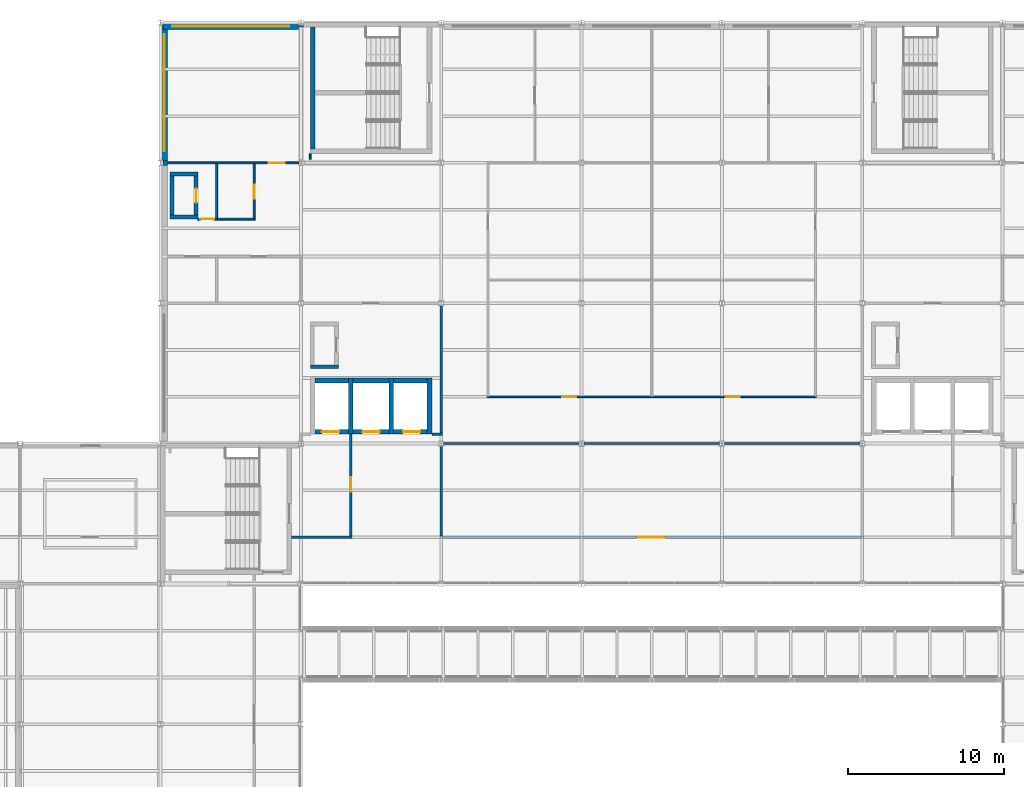
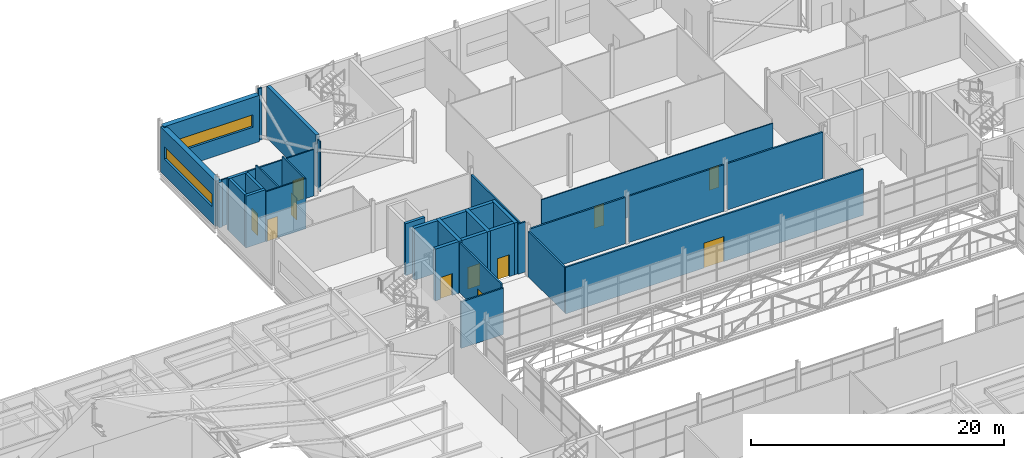
# One storey, part 85 of 115: 34 walls, 11 doors, 2 windows, 13 openings.
"""IFC4 building model written with IfcOpenShell, lengths in metres."""

from ifc_helpers import new_model, si_unit, direction, frame, frame_2d, origin, place, context, subcontext, project, spatial, rectangle, extrude, material, layer, layer_set, type_object, element, fill, save


model = new_model("IFC4")

# Units and contexts
model_context = context("Model", 3, precision=1e-05, world=origin(), true_north=direction((0.0, 1.0)))
body_context = subcontext(model_context, "Body", "Model", "MODEL_VIEW")
ifc_project = project(units=[si_unit("LENGTHUNIT", "METRE"), si_unit("AREAUNIT", "SQUARE_METRE"), si_unit("VOLUMEUNIT", "CUBIC_METRE"), si_unit("PLANEANGLEUNIT", "RADIAN"), si_unit("MASSUNIT", "GRAM", prefix="KILO")], contexts=[model_context])

# Site, building, storey
site_placement = place(None, origin())
site = spatial("IfcSite", under=ifc_project, at=site_placement, CompositionType="ELEMENT")
building_placement = place(site_placement, origin())
building = spatial("IfcBuilding", under=site, at=building_placement, Name="Shorebreak Coast Museum", CompositionType="ELEMENT")
storey_placement = place(building_placement, frame((0.0, 0.0, 11.0)))
storey = spatial("IfcBuildingStorey", under=building, at=storey_placement, Name="L02", CompositionType="ELEMENT", Elevation=11.0)

# Walls
ifc_material_1 = material(Name="Concrete N50 (50 MPa)", Category="concrete")
ifc_layer_1 = layer(ifc_material_1, 0.136474609375)
ifc_layer_set_1 = layer_set([ifc_layer_1], Name="Concrete N50 (50 MPa)")
wall_type_1 = type_object("IfcWallType", Name="Column closure panel 136", PredefinedType="SOLIDWALL", material=ifc_layer_set_1)
wall_1_placement = place(storey_placement, frame((62.83349609375, 116.768310546875, 0.0), z_axis=(0.0, 0.0, 1.0), x_axis=(1.0, 0.0, 0.0)))
element("IfcWall", 1, at=wall_1_placement, inside=storey, type_object=wall_type_1, Name="Column closure panel L02 N 8P", PredefinedType="SOLIDWALL", context=body_context, shape_type="SweptSolid", body=[
    extrude(rectangle(XDim=0.322021484375, YDim=0.136474609375, at=frame_2d((0.1611328125, 0.0))), origin(), (0.0, 0.0, 1.0), 5.0),
])
ifc_material_2 = material(Name="Concrete N50 (50 MPa)", Category="concrete")
ifc_layer_2 = layer(ifc_material_2, 0.29638671875)
ifc_layer_set_2 = layer_set([ifc_layer_2], Name="Concrete N50 (50 MPa)")
wall_type_2 = type_object("IfcWallType", Name="Column closure panel 297", PredefinedType="SOLIDWALL", material=ifc_layer_set_2)
wall_2_placement = place(storey_placement, frame((54.3017578125, 107.839111328125, 0.0), z_axis=(0.0, 0.0, 1.0), x_axis=(0.0, 1.0, 0.0)))
element("IfcWall", 2, at=wall_2_placement, inside=storey, type_object=wall_type_2, Name="Column closure panel L02 W 7N", PredefinedType="SOLIDWALL", context=body_context, shape_type="SweptSolid", body=[
    extrude(rectangle(XDim=0.32177734375, YDim=0.29638671875, at=frame_2d((0.160888671875, 0.0))), origin(), (0.0, 0.0, 1.0), 4.37109375),
])

# Wall, opening, window
ifc_material_3 = material(Name="Concrete N50 (50 MPa)", Category="concrete")
ifc_layer_3 = layer(ifc_material_3, 0.449951171875)
ifc_layer_set_3 = layer_set([ifc_layer_3], Name="Concrete N50 (50 MPa)")
wall_type_3 = type_object("IfcWallType", Name="Deep-set precast panel 450", PredefinedType="SOLIDWALL", material=ifc_layer_set_3)
wall_3_placement = place(storey_placement, frame((54.155517578125, 116.77490234375, 0.0), z_axis=(0.0, 0.0, 1.0), x_axis=(1.0, 0.0, 0.0)))
wall_3 = element("IfcWall", 3, at=wall_3_placement, inside=storey, type_object=wall_type_3, Name="External wall L02 N 7P", PredefinedType="SOLIDWALL", context=body_context, shape_type="SweptSolid", body=[
    extrude(rectangle(XDim=8.677978515625, YDim=0.449951171875, at=frame_2d((4.3388671875, 0.0))), origin(), (0.0, 0.0, 1.0), 4.469482421875),
])
opening_1_placement = place(wall_3_placement, frame((0.594482421875, 0.0, 1.60009765625)))
opening_1 = element("IfcOpeningElement", 4, at=opening_1_placement, cuts=wall_3, Name="Opening WN2033", PredefinedType="OPENING", context=body_context, shape_type="SweptSolid", body=[
    extrude(rectangle(XDim=7.5, YDim=1.199951171875, at=frame_2d((3.75, 0.60009765625))), frame((0.0, 0.23486328125, 0.0), z_axis=(0.0, -1.0, 0.0), x_axis=(1.0, 0.0, 0.0)), (0.0, 0.0, 1.0), 0.469970703125),
])
ifc_material_4 = material(Name="Aluminium", Category="aluminium")
window_type = type_object("IfcWindowType", Name="Ribbon window 7500 x 1200", PartitioningType="SINGLE_PANEL", PredefinedType="WINDOW", material=ifc_material_4)
window_1_placement = place(opening_1_placement, origin())
window_1 = element("IfcWindow", 5, at=window_1_placement, inside=storey, type_object=window_type, Name="Window WN2033", OverallHeight=1.199951171875, OverallWidth=7.5, PartitioningType="SINGLE_PANEL", PredefinedType="WINDOW", context=body_context, shape_type="SweptSolid", body=[
    extrude(rectangle(XDim=7.5, YDim=1.199951171875, at=frame_2d((3.75, 0.60009765625))), frame((0.0, 0.030029296875, 0.0), z_axis=(0.0, -1.0, 0.0), x_axis=(1.0, 0.0, 0.0)), (0.0, 0.0, 1.0), 0.06005859375),
])
fill(opening_1, window_1)

wall_4_placement = place(storey_placement, frame((54.22509765625, 108.160888671875, 0.0), z_axis=(0.0, 0.0, 1.0), x_axis=(0.0, 1.0, 0.0)))
wall_4 = element("IfcWall", 6, at=wall_4_placement, inside=storey, type_object=wall_type_3, Name="External wall L02 W 7N", PredefinedType="SOLIDWALL", context=body_context, shape_type="SweptSolid", body=[
    extrude(rectangle(XDim=8.675537109375, YDim=0.449951171875, at=frame_2d((4.337890625, 0.0))), origin(), (0.0, 0.0, 1.0), 4.37109375),
])
opening_2_placement = place(wall_4_placement, frame((0.5927734375, 0.0, 1.60009765625)))
opening_2 = element("IfcOpeningElement", 7, at=opening_2_placement, cuts=wall_4, Name="Opening WN2071", PredefinedType="OPENING", context=body_context, shape_type="SweptSolid", body=[
    extrude(rectangle(XDim=7.5, YDim=1.199951171875, at=frame_2d((3.75, 0.60009765625))), frame((0.0, 0.23486328125, 0.0), z_axis=(0.0, -1.0, 0.0), x_axis=(1.0, 0.0, 0.0)), (0.0, 0.0, 1.0), 0.469970703125),
])
window_2_placement = place(opening_2_placement, origin())
window_2 = element("IfcWindow", 8, at=window_2_placement, inside=storey, type_object=window_type, Name="Window WN2071", OverallHeight=1.199951171875, OverallWidth=7.5, PartitioningType="SINGLE_PANEL", PredefinedType="WINDOW", context=body_context, shape_type="SweptSolid", body=[
    extrude(rectangle(XDim=7.5, YDim=1.199951171875, at=frame_2d((3.75, 0.60009765625))), frame((0.0, 0.030029296875, 0.0), z_axis=(0.0, -1.0, 0.0), x_axis=(1.0, 0.0, 0.0)), (0.0, 0.0, 1.0), 0.06005859375),
])
fill(opening_2, window_2)

# Wall
ifc_material_5 = material(Name="Plasterboard on steel stud", Category="steel")
ifc_layer_4 = layer(ifc_material_5, 0.14990234375)
ifc_layer_set_4 = layer_set([ifc_layer_4], Name="Plasterboard on steel stud")
wall_type_4 = type_object("IfcWallType", Name="Fire partition 150", PredefinedType="PARTITIONING", material=ifc_layer_set_4)
wall_5_placement = place(storey_placement, frame((62.39990234375, 84.0, 0.0), z_axis=(0.0, 0.0, 1.0), x_axis=(1.0, 0.0, 0.0)))
element("IfcWall", 9, at=wall_5_placement, inside=storey, type_object=wall_type_4, Name="Partition L02-060", PredefinedType="PARTITIONING", context=body_context, shape_type="SweptSolid", body=[
    extrude(rectangle(XDim=3.875, YDim=0.14990234375, at=frame_2d((1.9375, 0.0))), origin(), (0.0, 0.0, 1.0), 4.469482421875),
])

# Wall, opening, door
wall_6_placement = place(storey_placement, frame((71.925048828125, 84.0, 0.0), z_axis=(0.0, 0.0, 1.0), x_axis=(1.0, 0.0, 0.0)))
wall_6 = element("IfcWall", 10, at=wall_6_placement, inside=storey, type_object=wall_type_4, Name="Partition L02-061", PredefinedType="PARTITIONING", context=body_context, shape_type="SweptSolid", body=[
    extrude(rectangle(XDim=27.14990234375, YDim=0.14990234375, at=frame_2d((13.574951171875, 0.0))), origin(), (0.0, 0.0, 1.0), 4.469482421875),
])
opening_3_placement = place(wall_6_placement, frame((12.625, 0.0, 0.0)))
opening_3 = element("IfcOpeningElement", 11, at=opening_3_placement, cuts=wall_6, Name="Opening D2005", PredefinedType="OPENING", context=body_context, shape_type="SweptSolid", body=[
    extrude(rectangle(XDim=1.800048828125, YDim=2.39990234375, at=frame_2d((0.89990234375, 1.199951171875))), frame((0.0, 0.0849609375, 0.0), z_axis=(0.0, -1.0, 0.0), x_axis=(1.0, 0.0, 0.0)), (0.0, 0.0, 1.0), 0.169921875),
])
ifc_material_6 = material(Name="Steel", Category="steel")
door_type_1 = type_object("IfcDoorType", Name="Fire door 1800x2400 60", OperationType="DOUBLE_DOOR_SINGLE_SWING", PredefinedType="DOOR", material=ifc_material_6)
door_1_placement = place(opening_3_placement, origin())
door_1 = element("IfcDoor", 12, at=door_1_placement, inside=storey, type_object=door_type_1, Name="Door D2005 Permanent Gallery 2.01", OperationType="DOUBLE_DOOR_SINGLE_SWING", OverallHeight=2.39990234375, OverallWidth=1.800048828125, PredefinedType="DOOR", context=body_context, shape_type="SweptSolid", body=[
    extrude(rectangle(XDim=1.800048828125, YDim=2.39990234375, at=frame_2d((0.89990234375, 1.199951171875))), frame((0.0, 0.02490234375, 0.0), z_axis=(0.0, -1.0, 0.0), x_axis=(1.0, 0.0, 0.0)), (0.0, 0.0, 1.0), 0.050048828125),
])
fill(opening_3, door_1)

# Walls
for number, where, z_axis, x_axis, name in (
    (13, (72.155517578125, 90.0, 0.0), (0.0, 0.0, 1.0), (1.0, 0.0, 0.0), "Partition L02-063"),
    (14, (81.155517578125, 90.0, 0.0), (0.0, 0.0, 1.0), (1.0, 0.0, 0.0), "Partition L02-064"),
    (15, (90.155517578125, 90.0, 0.0), (0.0, 0.0, 1.0), (1.0, 0.0, 0.0), "Partition L02-065"),
):
    element("IfcWall", number, at=place(storey_placement, frame(where, z_axis=z_axis, x_axis=x_axis)), inside=storey, type_object=wall_type_4, Name=name, PredefinedType="PARTITIONING", context=body_context, shape_type="SweptSolid", body=[
        extrude(rectangle(XDim=8.68896484375, YDim=0.14990234375, at=frame_2d((4.344482421875, 0.0))), origin(), (0.0, 0.0, 1.0), 4.469482421875),
    ])
wall_7_placement = place(storey_placement, frame((71.39990234375, 90.60009765625, 0.0), z_axis=(0.0, 0.0, 1.0), x_axis=(1.0, 0.0, 0.0)))
element("IfcWall", 16, at=wall_7_placement, inside=storey, type_object=wall_type_4, Name="Partition L02-067", PredefinedType="PARTITIONING", context=body_context, shape_type="SweptSolid", body=[
    extrude(rectangle(XDim=0.675048828125, YDim=0.14990234375, at=frame_2d((0.33740234375, 0.0))), origin(), (0.0, 0.0, 1.0), 4.824951171875),
])

# Wall, opening, door
wall_8_placement = place(storey_placement, frame((66.199951171875, 84.074951171875, 0.0), z_axis=(0.0, 0.0, 1.0), x_axis=(0.0, 1.0, 0.0)))
wall_8 = element("IfcWall", 17, at=wall_8_placement, inside=storey, type_object=wall_type_4, Name="Partition L02-121", PredefinedType="PARTITIONING", context=body_context, shape_type="SweptSolid", body=[
    extrude(rectangle(XDim=6.525146484375, YDim=0.14990234375, at=frame_2d((3.2626953125, 0.0))), origin(), (0.0, 0.0, 1.0), 4.824951171875),
])
opening_4_placement = place(wall_8_placement, frame((2.85009765625, 0.0, 0.0)))
opening_4 = element("IfcOpeningElement", 18, at=opening_4_placement, cuts=wall_8, Name="Opening D2001", PredefinedType="OPENING", context=body_context, shape_type="SweptSolid", body=[
    extrude(rectangle(XDim=0.89990234375, YDim=2.10009765625, at=frame_2d((0.449951171875, 1.050048828125))), frame((0.0, 0.0849609375, 0.0), z_axis=(0.0, -1.0, 0.0), x_axis=(1.0, 0.0, 0.0)), (0.0, 0.0, 1.0), 0.169921875),
])
ifc_material_7 = material(Name="Steel", Category="steel")
door_type_2 = type_object("IfcDoorType", Name="Fire door 900x2100 60", OperationType="SINGLE_SWING_LEFT", PredefinedType="DOOR", material=ifc_material_7)
door_2_placement = place(opening_4_placement, origin())
door_2 = element("IfcDoor", 19, at=door_2_placement, inside=storey, type_object=door_type_2, Name="Door D2001 Firefighting Lift Lobby W", OperationType="SINGLE_SWING_LEFT", OverallHeight=2.10009765625, OverallWidth=0.89990234375, PredefinedType="DOOR", context=body_context, shape_type="SweptSolid", body=[
    extrude(rectangle(XDim=0.89990234375, YDim=2.10009765625, at=frame_2d((0.449951171875, 1.050048828125))), frame((0.0, 0.02490234375, 0.0), z_axis=(0.0, -1.0, 0.0), x_axis=(1.0, 0.0, 0.0)), (0.0, 0.0, 1.0), 0.050048828125),
])
fill(opening_4, door_2)

# Walls
wall_9_placement = place(storey_placement, frame((72.0, 84.074951171875, 0.0), z_axis=(0.0, 0.0, 1.0), x_axis=(0.0, 1.0, 0.0)))
element("IfcWall", 20, at=wall_9_placement, inside=storey, type_object=wall_type_4, Name="Partition L02-128", PredefinedType="PARTITIONING", context=body_context, shape_type="SweptSolid", body=[
    extrude(rectangle(XDim=5.761474609375, YDim=0.14990234375, at=frame_2d((2.880859375, 0.0))), origin(), (0.0, 0.0, 1.0), 4.37109375),
])
wall_10_placement = place(storey_placement, frame((72.0, 90.675048828125, 0.0), z_axis=(0.0, 0.0, 1.0), x_axis=(0.0, 1.0, 0.0)))
element("IfcWall", 21, at=wall_10_placement, inside=storey, type_object=wall_type_4, Name="Partition L02-129", PredefinedType="PARTITIONING", context=body_context, shape_type="SweptSolid", body=[
    extrude(rectangle(XDim=8.167724609375, YDim=0.14990234375, at=frame_2d((4.083984375, 0.0))), origin(), (0.0, 0.0, 1.0), 4.37109375),
])

# Wall, openings, doors
ifc_material_8 = material(Name="Plasterboard on steel stud", Category="steel")
ifc_layer_5 = layer(ifc_material_8, 0.10009765625)
ifc_layer_set_5 = layer_set([ifc_layer_5], Name="Plasterboard on steel stud")
wall_type_5 = type_object("IfcWallType", Name="Partition 100", PredefinedType="PARTITIONING", material=ifc_layer_set_5)
wall_11_placement = place(storey_placement, frame((74.949951171875, 93.0, 0.0), z_axis=(0.0, 0.0, 1.0), x_axis=(1.0, 0.0, 0.0)))
wall_11 = element("IfcWall", 22, at=wall_11_placement, inside=storey, type_object=wall_type_5, Name="Partition L02-070", PredefinedType="PARTITIONING", context=body_context, shape_type="SweptSolid", body=[
    extrude(rectangle(XDim=21.10009765625, YDim=0.10009765625, at=frame_2d((10.550048828125, 0.0))), origin(), (0.0, 0.0, 1.0), 4.469482421875),
])
opening_5_placement = place(wall_11_placement, frame((4.800048828125, 0.0, 0.0)))
opening_5 = element("IfcOpeningElement", 23, at=opening_5_placement, cuts=wall_11, Name="Opening D2018", PredefinedType="OPENING", context=body_context, shape_type="SweptSolid", body=[
    extrude(rectangle(XDim=0.89990234375, YDim=2.10009765625, at=frame_2d((0.449951171875, 1.050048828125))), frame((0.0, 0.06005859375, 0.0), z_axis=(0.0, -1.0, 0.0), x_axis=(1.0, 0.0, 0.0)), (0.0, 0.0, 1.0), 0.1201171875),
])
opening_6_placement = place(wall_11_placement, frame((15.300048828125, 0.0, 0.0)))
opening_6 = element("IfcOpeningElement", 24, at=opening_6_placement, cuts=wall_11, Name="Opening D2019", PredefinedType="OPENING", context=body_context, shape_type="SweptSolid", body=[
    extrude(rectangle(XDim=0.89990234375, YDim=2.10009765625, at=frame_2d((0.449951171875, 1.050048828125))), frame((0.0, 0.06005859375, 0.0), z_axis=(0.0, -1.0, 0.0), x_axis=(1.0, 0.0, 0.0)), (0.0, 0.0, 1.0), 0.1201171875),
])
ifc_material_9 = material(Name="Timber", Category="wood")
door_type_3 = type_object("IfcDoorType", Name="Interior door 900x2100", OperationType="SINGLE_SWING_LEFT", PredefinedType="DOOR", material=ifc_material_9)
door_3_placement = place(opening_5_placement, origin())
door_3 = element("IfcDoor", 25, at=door_3_placement, inside=storey, type_object=door_type_3, Name="Door D2018 Curatorial Office 2.01", OperationType="SINGLE_SWING_RIGHT", OverallHeight=2.10009765625, OverallWidth=0.89990234375, PredefinedType="DOOR", context=body_context, shape_type="SweptSolid", body=[
    extrude(rectangle(XDim=0.89990234375, YDim=2.10009765625, at=frame_2d((0.449951171875, 1.050048828125))), frame((0.0, 0.02490234375, 0.0), z_axis=(0.0, -1.0, 0.0), x_axis=(1.0, 0.0, 0.0)), (0.0, 0.0, 1.0), 0.050048828125),
])
fill(opening_5, door_3)
door_4_placement = place(opening_6_placement, origin())
door_4 = element("IfcDoor", 26, at=door_4_placement, inside=storey, type_object=door_type_3, Name="Door D2019 Curatorial Office 2.02", OperationType="SINGLE_SWING_RIGHT", OverallHeight=2.10009765625, OverallWidth=0.89990234375, PredefinedType="DOOR", context=body_context, shape_type="SweptSolid", body=[
    extrude(rectangle(XDim=0.89990234375, YDim=2.10009765625, at=frame_2d((0.449951171875, 1.050048828125))), frame((0.0, 0.02490234375, 0.0), z_axis=(0.0, -1.0, 0.0), x_axis=(1.0, 0.0, 0.0)), (0.0, 0.0, 1.0), 0.050048828125),
])
fill(opening_6, door_4)

# Wall
wall_12_placement = place(storey_placement, frame((63.60009765625, 108.219970703125, 0.0), z_axis=(0.0, 0.0, 1.0), x_axis=(0.0, 1.0, 0.0)))
element("IfcWall", 27, at=wall_12_placement, inside=storey, type_object=wall_type_5, Name="Partition L02-119", PredefinedType="PARTITIONING", context=body_context, shape_type="SweptSolid", body=[
    extrude(rectangle(XDim=0.380126953125, YDim=0.10009765625, at=frame_2d((0.18994140625, 0.0))), origin(), (0.0, 0.0, 1.0), 4.824951171875),
])

# Wall, opening, door
ifc_material_10 = material(Name="Plasterboard on steel stud", Category="steel")
ifc_layer_6 = layer(ifc_material_10, 0.125)
ifc_layer_set_6 = layer_set([ifc_layer_6], Name="Plasterboard on steel stud")
wall_type_6 = type_object("IfcWallType", Name="Partition 125", PredefinedType="PARTITIONING", material=ifc_layer_set_6)
wall_13_placement = place(storey_placement, frame((56.39990234375, 104.39990234375, 0.0), z_axis=(0.0, 0.0, 1.0), x_axis=(1.0, 0.0, 0.0)))
wall_13 = element("IfcWall", 28, at=wall_13_placement, inside=storey, type_object=wall_type_6, Name="Partition L02-078", PredefinedType="PARTITIONING", context=body_context, shape_type="SweptSolid", body=[
    extrude(rectangle(XDim=3.66259765625, YDim=0.125, at=frame_2d((1.831298828125, 0.0))), origin(), (0.0, 0.0, 1.0), 4.824951171875),
])
opening_7_placement = place(wall_13_placement, frame((0.14990234375, 0.0, 0.0)))
opening_7 = element("IfcOpeningElement", 29, at=opening_7_placement, cuts=wall_13, Name="Opening D2008", PredefinedType="OPENING", context=body_context, shape_type="SweptSolid", body=[
    extrude(rectangle(XDim=0.89990234375, YDim=2.10009765625, at=frame_2d((0.449951171875, 1.050048828125))), frame((0.0, 0.072509765625, 0.0), z_axis=(0.0, -1.0, 0.0), x_axis=(1.0, 0.0, 0.0)), (0.0, 0.0, 1.0), 0.14501953125),
])
door_5_placement = place(opening_7_placement, origin())
door_5 = element("IfcDoor", 30, at=door_5_placement, inside=storey, type_object=door_type_3, Name="Door D2008 Cleaner Store N1", OperationType="SINGLE_SWING_LEFT", OverallHeight=2.10009765625, OverallWidth=0.89990234375, PredefinedType="DOOR", context=body_context, shape_type="SweptSolid", body=[
    extrude(rectangle(XDim=0.89990234375, YDim=2.10009765625, at=frame_2d((0.449951171875, 1.050048828125))), frame((0.0, 0.02490234375, 0.0), z_axis=(0.0, -1.0, 0.0), x_axis=(1.0, 0.0, 0.0)), (0.0, 0.0, 1.0), 0.050048828125),
])
fill(opening_7, door_5)

wall_14_placement = place(storey_placement, frame((54.449951171875, 108.0, 0.0), z_axis=(0.0, 0.0, 1.0), x_axis=(1.0, 0.0, 0.0)))
wall_14 = element("IfcWall", 31, at=wall_14_placement, inside=storey, type_object=wall_type_6, Name="Partition L02-080", PredefinedType="PARTITIONING", context=body_context, shape_type="SweptSolid", body=[
    extrude(rectangle(XDim=8.396484375, YDim=0.125, at=frame_2d((4.1982421875, 0.0))), origin(), (0.0, 0.0, 1.0), 4.469482421875),
])
opening_8_placement = place(wall_14_placement, frame((6.5, 0.0, 0.0)))
opening_8 = element("IfcOpeningElement", 32, at=opening_8_placement, cuts=wall_14, Name="Opening D2016", PredefinedType="OPENING", context=body_context, shape_type="SweptSolid", body=[
    extrude(rectangle(XDim=1.0, YDim=2.10009765625, at=frame_2d((0.5, 1.050048828125))), frame((0.0, 0.072509765625, 0.0), z_axis=(0.0, -1.0, 0.0), x_axis=(1.0, 0.0, 0.0)), (0.0, 0.0, 1.0), 0.14501953125),
])
ifc_material_11 = material(Name="Timber", Category="wood")
door_type_4 = type_object("IfcDoorType", Name="Interior door 1000x2100", OperationType="SINGLE_SWING_LEFT", PredefinedType="DOOR", material=ifc_material_11)
door_6_placement = place(opening_8_placement, origin())
door_6 = element("IfcDoor", 33, at=door_6_placement, inside=storey, type_object=door_type_4, Name="Door D2016 Services Store 2.01", OperationType="SINGLE_SWING_LEFT", OverallHeight=2.10009765625, OverallWidth=1.0, PredefinedType="DOOR", context=body_context, shape_type="SweptSolid", body=[
    extrude(rectangle(XDim=1.0, YDim=2.10009765625, at=frame_2d((0.5, 1.050048828125))), frame((0.0, 0.02490234375, 0.0), z_axis=(0.0, -1.0, 0.0), x_axis=(1.0, 0.0, 0.0)), (0.0, 0.0, 1.0), 0.050048828125),
])
fill(opening_8, door_6)

# Wall
wall_15_placement = place(storey_placement, frame((57.60009765625, 104.46240234375, 0.0), z_axis=(0.0, 0.0, 1.0), x_axis=(0.0, 1.0, 0.0)))
element("IfcWall", 34, at=wall_15_placement, inside=storey, type_object=wall_type_6, Name="Partition L02-107", PredefinedType="PARTITIONING", context=body_context, shape_type="SweptSolid", body=[
    extrude(rectangle(XDim=3.47509765625, YDim=0.125, at=frame_2d((1.737548828125, 0.0))), origin(), (0.0, 0.0, 1.0), 4.824951171875),
])

# Wall, opening, door
wall_16_placement = place(storey_placement, frame((60.0, 104.46240234375, 0.0), z_axis=(0.0, 0.0, 1.0), x_axis=(0.0, 1.0, 0.0)))
wall_16 = element("IfcWall", 35, at=wall_16_placement, inside=storey, type_object=wall_type_6, Name="Partition L02-111", PredefinedType="PARTITIONING", context=body_context, shape_type="SweptSolid", body=[
    extrude(rectangle(XDim=3.47509765625, YDim=0.125, at=frame_2d((1.737548828125, 0.0))), origin(), (0.0, 0.0, 1.0), 4.824951171875),
])
opening_9_placement = place(wall_16_placement, frame((1.25, 0.0, 0.0)))
opening_9 = element("IfcOpeningElement", 36, at=opening_9_placement, cuts=wall_16, Name="Opening D2009", PredefinedType="OPENING", context=body_context, shape_type="SweptSolid", body=[
    extrude(rectangle(XDim=0.89990234375, YDim=2.10009765625, at=frame_2d((0.449951171875, 1.050048828125))), frame((0.0, 0.072509765625, 0.0), z_axis=(0.0, -1.0, 0.0), x_axis=(1.0, 0.0, 0.0)), (0.0, 0.0, 1.0), 0.14501953125),
])
door_7_placement = place(opening_9_placement, origin())
door_7 = element("IfcDoor", 37, at=door_7_placement, inside=storey, type_object=door_type_3, Name="Door D2009 Female WC N1", OperationType="SINGLE_SWING_RIGHT", OverallHeight=2.10009765625, OverallWidth=0.89990234375, PredefinedType="DOOR", context=body_context, shape_type="SweptSolid", body=[
    extrude(rectangle(XDim=0.89990234375, YDim=2.10009765625, at=frame_2d((0.449951171875, 1.050048828125))), frame((0.0, 0.02490234375, 0.0), z_axis=(0.0, -1.0, 0.0), x_axis=(1.0, 0.0, 0.0)), (0.0, 0.0, 1.0), 0.050048828125),
])
fill(opening_9, door_7)

# Walls
ifc_material_12 = material(Name="Concrete N50 (50 MPa)", Category="concrete")
ifc_layer_7 = layer(ifc_material_12, 0.25)
ifc_layer_set_7 = layer_set([ifc_layer_7], Name="Concrete N50 (50 MPa)")
wall_type_7 = type_object("IfcWallType", Name="RC riser wall 250", PredefinedType="STANDARD", material=ifc_layer_set_7)
for number, where, z_axis, x_axis, name in (
    (38, (54.60009765625, 104.52490234375, 0.0), (0.0, 0.0, 1.0), (1.0, 0.0, 0.0), "Riser wall R-WC-N1 L02 S"),
    (39, (54.60009765625, 107.27490234375, 0.0), (0.0, 0.0, 1.0), (1.0, 0.0, 0.0), "Riser wall R-WC-N1 L02 N"),
):
    element("IfcWall", number, at=place(storey_placement, frame(where, z_axis=z_axis, x_axis=x_axis)), inside=storey, type_object=wall_type_7, Name=name, PredefinedType="STANDARD", context=body_context, shape_type="SweptSolid", body=[
        extrude(rectangle(XDim=1.7998046875, YDim=0.25, at=frame_2d((0.89990234375, 0.0))), origin(), (0.0, 0.0, 1.0), 5.0),
    ])
wall_17_placement = place(storey_placement, frame((54.72509765625, 104.64990234375, 0.0), z_axis=(0.0, 0.0, 1.0), x_axis=(0.0, 1.0, 0.0)))
element("IfcWall", 40, at=wall_17_placement, inside=storey, type_object=wall_type_7, Name="Riser wall R-WC-N1 L02 W", PredefinedType="STANDARD", context=body_context, shape_type="SweptSolid", body=[
    extrude(rectangle(XDim=2.5, YDim=0.25, at=frame_2d((1.25, 0.0))), origin(), (0.0, 0.0, 1.0), 5.0),
])

# Wall, opening, door
wall_18_placement = place(storey_placement, frame((56.27490234375, 104.64990234375, 0.0), z_axis=(0.0, 0.0, 1.0), x_axis=(0.0, 1.0, 0.0)))
wall_18 = element("IfcWall", 41, at=wall_18_placement, inside=storey, type_object=wall_type_7, Name="Riser wall R-WC-N1 L02 E", PredefinedType="STANDARD", context=body_context, shape_type="SweptSolid", body=[
    extrude(rectangle(XDim=2.5, YDim=0.25, at=frame_2d((1.25, 0.0))), origin(), (0.0, 0.0, 1.0), 5.0),
])
opening_10_placement = place(wall_18_placement, frame((0.800048828125, 0.0, 0.0)))
opening_10 = element("IfcOpeningElement", 42, at=opening_10_placement, cuts=wall_18, Name="Opening D2601", PredefinedType="OPENING", context=body_context, shape_type="SweptSolid", body=[
    extrude(rectangle(XDim=0.89990234375, YDim=2.10009765625, at=frame_2d((0.449951171875, 1.050048828125))), frame((0.0, 0.135009765625, 0.0), z_axis=(0.0, -1.0, 0.0), x_axis=(1.0, 0.0, 0.0)), (0.0, 0.0, 1.0), 0.27001953125),
])
ifc_material_13 = material(Name="Steel Grade 300", Category="steel")
door_type_5 = type_object("IfcDoorType", Name="Riser door 900x2100", OperationType="SINGLE_SWING_LEFT", PredefinedType="DOOR", material=ifc_material_13)
door_8_placement = place(opening_10_placement, origin())
door_8 = element("IfcDoor", 43, at=door_8_placement, inside=storey, type_object=door_type_5, Name="Riser door R-WC-N1 L02", OperationType="SINGLE_SWING_RIGHT", OverallHeight=2.10009765625, OverallWidth=0.89990234375, PredefinedType="DOOR", context=body_context, shape_type="SweptSolid", body=[
    extrude(rectangle(XDim=0.89990234375, YDim=2.10009765625, at=frame_2d((0.449951171875, 1.050048828125))), frame((0.0, 0.02490234375, 0.0), z_axis=(0.0, -1.0, 0.0), x_axis=(1.0, 0.0, 0.0)), (0.0, 0.0, 1.0), 0.050048828125),
])
fill(opening_10, door_8)

# Walls
wall_19_placement = place(storey_placement, frame((63.60009765625, 94.925048828125, 0.0), z_axis=(0.0, 0.0, 1.0), x_axis=(1.0, 0.0, 0.0)))
element("IfcWall", 44, at=wall_19_placement, inside=storey, type_object=wall_type_7, Name="Riser wall R-LBW L02 S", PredefinedType="STANDARD", context=body_context, shape_type="SweptSolid", body=[
    extrude(rectangle(XDim=1.7998046875, YDim=0.25, at=frame_2d((0.89990234375, 0.0))), origin(), (0.0, 0.0, 1.0), 5.0),
])
ifc_material_14 = material(Name="Concrete N50 (50 MPa)", Category="concrete")
ifc_layer_8 = layer(ifc_material_14, 0.300048828125)
ifc_layer_set_8 = layer_set([ifc_layer_8], Name="Concrete N50 (50 MPa)")
wall_type_8 = type_object("IfcWallType", Name="RC wall 300", PredefinedType="SHEAR", material=ifc_layer_set_8)
wall_20_placement = place(storey_placement, frame((63.75, 108.89990234375, 0.0), z_axis=(0.0, 0.0, 1.0), x_axis=(0.0, 1.0, 0.0)))
element("IfcWall", 45, at=wall_20_placement, inside=storey, type_object=wall_type_8, Name="Stair core wall ST09 L02 W", PredefinedType="SHEAR", context=body_context, shape_type="SweptSolid", body=[
    extrude(rectangle(XDim=7.800048828125, YDim=0.300048828125, at=frame_2d((3.89990234375, 0.0))), origin(), (0.0, 0.0, 1.0), 5.0),
])
for number, where, z_axis, x_axis, name in (
    (46, (66.199951171875, 90.60009765625, 0.0), (0.0, 0.0, 1.0), (0.0, 1.0, 0.0), "Lift shaft wall LBW L02 2"),
    (47, (68.800048828125, 90.60009765625, 0.0), (0.0, 0.0, 1.0), (0.0, 1.0, 0.0), "Lift shaft wall LBW L02 3"),
    (48, (71.25, 90.60009765625, 0.0), (0.0, 0.0, 1.0), (0.0, 1.0, 0.0), "Lift shaft wall LBW L02 4"),
):
    element("IfcWall", number, at=place(storey_placement, frame(where, z_axis=z_axis, x_axis=x_axis)), inside=storey, type_object=wall_type_8, Name=name, PredefinedType="SHEAR", context=body_context, shape_type="SweptSolid", body=[
        extrude(rectangle(XDim=3.599853515625, YDim=0.300048828125, at=frame_2d((1.7998046875, 0.0))), origin(), (0.0, 0.0, 1.0), 5.0),
    ])

# Wall, opening, door
wall_21_placement = place(storey_placement, frame((63.89990234375, 90.75, 0.0), z_axis=(0.0, 0.0, 1.0), x_axis=(1.0, 0.0, 0.0)))
wall_21 = element("IfcWall", 49, at=wall_21_placement, inside=storey, type_object=wall_type_8, Name="Lift shaft wall FL1 L02 F", PredefinedType="SHEAR", context=body_context, shape_type="SweptSolid", body=[
    extrude(rectangle(XDim=2.150146484375, YDim=0.300048828125, at=frame_2d((1.0751953125, 0.0))), origin(), (0.0, 0.0, 1.0), 5.0),
])
opening_11_placement = place(wall_21_placement, frame((0.449951171875, 0.0, 0.0)))
opening_11 = element("IfcOpeningElement", 50, at=opening_11_placement, cuts=wall_21, Name="Opening LD2-FL1", PredefinedType="OPENING", context=body_context, shape_type="SweptSolid", body=[
    extrude(rectangle(XDim=1.10009765625, YDim=2.10009765625, at=frame_2d((0.550048828125, 1.050048828125))), frame((0.0, 0.159912109375, 0.0), z_axis=(0.0, -1.0, 0.0), x_axis=(1.0, 0.0, 0.0)), (0.0, 0.0, 1.0), 0.320068359375),
])
ifc_material_15 = material(Name="Steel Grade 300", Category="steel")
door_type_6 = type_object("IfcDoorType", Name="Landing door 1100x2100", OperationType="DOUBLE_DOOR_SLIDING", PredefinedType="DOOR", material=ifc_material_15)
door_9_placement = place(opening_11_placement, origin())
door_9 = element("IfcDoor", 51, at=door_9_placement, inside=storey, type_object=door_type_6, Name="Landing door FL1 L02", OperationType="DOUBLE_DOOR_SLIDING", OverallHeight=2.10009765625, OverallWidth=1.10009765625, PredefinedType="DOOR", context=body_context, shape_type="SweptSolid", body=[
    extrude(rectangle(XDim=1.10009765625, YDim=2.10009765625, at=frame_2d((0.550048828125, 1.050048828125))), frame((0.0, 0.02490234375, 0.0), z_axis=(0.0, -1.0, 0.0), x_axis=(1.0, 0.0, 0.0)), (0.0, 0.0, 1.0), 0.050048828125),
])
fill(opening_11, door_9)

# Wall
wall_22_placement = place(storey_placement, frame((63.89990234375, 94.050048828125, 0.0), z_axis=(0.0, 0.0, 1.0), x_axis=(1.0, 0.0, 0.0)))
element("IfcWall", 52, at=wall_22_placement, inside=storey, type_object=wall_type_8, Name="Lift shaft wall FL1 L02 B", PredefinedType="SHEAR", context=body_context, shape_type="SweptSolid", body=[
    extrude(rectangle(XDim=2.150146484375, YDim=0.300048828125, at=frame_2d((1.0751953125, 0.0))), origin(), (0.0, 0.0, 1.0), 5.0),
])

# Wall, opening, door
wall_23_placement = place(storey_placement, frame((66.35009765625, 90.75, 0.0), z_axis=(0.0, 0.0, 1.0), x_axis=(1.0, 0.0, 0.0)))
wall_23 = element("IfcWall", 53, at=wall_23_placement, inside=storey, type_object=wall_type_8, Name="Lift shaft wall P1 L02 F", PredefinedType="SHEAR", context=body_context, shape_type="SweptSolid", body=[
    extrude(rectangle(XDim=2.2998046875, YDim=0.300048828125, at=frame_2d((1.14990234375, 0.0))), origin(), (0.0, 0.0, 1.0), 5.0),
])
opening_12_placement = place(wall_23_placement, frame((0.60009765625, 0.0, 0.0)))
opening_12 = element("IfcOpeningElement", 54, at=opening_12_placement, cuts=wall_23, Name="Opening LD2-P1", PredefinedType="OPENING", context=body_context, shape_type="SweptSolid", body=[
    extrude(rectangle(XDim=1.10009765625, YDim=2.10009765625, at=frame_2d((0.550048828125, 1.050048828125))), frame((0.0, 0.159912109375, 0.0), z_axis=(0.0, -1.0, 0.0), x_axis=(1.0, 0.0, 0.0)), (0.0, 0.0, 1.0), 0.320068359375),
])
door_10_placement = place(opening_12_placement, origin())
door_10 = element("IfcDoor", 55, at=door_10_placement, inside=storey, type_object=door_type_6, Name="Landing door P1 L02", OperationType="DOUBLE_DOOR_SLIDING", OverallHeight=2.10009765625, OverallWidth=1.10009765625, PredefinedType="DOOR", context=body_context, shape_type="SweptSolid", body=[
    extrude(rectangle(XDim=1.10009765625, YDim=2.10009765625, at=frame_2d((0.550048828125, 1.050048828125))), frame((0.0, 0.02490234375, 0.0), z_axis=(0.0, -1.0, 0.0), x_axis=(1.0, 0.0, 0.0)), (0.0, 0.0, 1.0), 0.050048828125),
])
fill(opening_12, door_10)

# Wall
wall_24_placement = place(storey_placement, frame((66.35009765625, 94.050048828125, 0.0), z_axis=(0.0, 0.0, 1.0), x_axis=(1.0, 0.0, 0.0)))
element("IfcWall", 56, at=wall_24_placement, inside=storey, type_object=wall_type_8, Name="Lift shaft wall P1 L02 B", PredefinedType="SHEAR", context=body_context, shape_type="SweptSolid", body=[
    extrude(rectangle(XDim=2.2998046875, YDim=0.300048828125, at=frame_2d((1.14990234375, 0.0))), origin(), (0.0, 0.0, 1.0), 5.0),
])

# Wall, opening, door
wall_25_placement = place(storey_placement, frame((68.949951171875, 90.75, 0.0), z_axis=(0.0, 0.0, 1.0), x_axis=(1.0, 0.0, 0.0)))
wall_25 = element("IfcWall", 57, at=wall_25_placement, inside=storey, type_object=wall_type_8, Name="Lift shaft wall P2 L02 F", PredefinedType="SHEAR", context=body_context, shape_type="SweptSolid", body=[
    extrude(rectangle(XDim=2.150146484375, YDim=0.300048828125, at=frame_2d((1.0751953125, 0.0))), origin(), (0.0, 0.0, 1.0), 5.0),
])
opening_13_placement = place(wall_25_placement, frame((0.60009765625, 0.0, 0.0)))
opening_13 = element("IfcOpeningElement", 58, at=opening_13_placement, cuts=wall_25, Name="Opening LD2-P2", PredefinedType="OPENING", context=body_context, shape_type="SweptSolid", body=[
    extrude(rectangle(XDim=1.10009765625, YDim=2.10009765625, at=frame_2d((0.550048828125, 1.050048828125))), frame((0.0, 0.159912109375, 0.0), z_axis=(0.0, -1.0, 0.0), x_axis=(1.0, 0.0, 0.0)), (0.0, 0.0, 1.0), 0.320068359375),
])
door_11_placement = place(opening_13_placement, origin())
door_11 = element("IfcDoor", 59, at=door_11_placement, inside=storey, type_object=door_type_6, Name="Landing door P2 L02", OperationType="DOUBLE_DOOR_SLIDING", OverallHeight=2.10009765625, OverallWidth=1.10009765625, PredefinedType="DOOR", context=body_context, shape_type="SweptSolid", body=[
    extrude(rectangle(XDim=1.10009765625, YDim=2.10009765625, at=frame_2d((0.550048828125, 1.050048828125))), frame((0.0, 0.02490234375, 0.0), z_axis=(0.0, -1.0, 0.0), x_axis=(1.0, 0.0, 0.0)), (0.0, 0.0, 1.0), 0.050048828125),
])
fill(opening_13, door_11)

# Wall
wall_26_placement = place(storey_placement, frame((68.949951171875, 94.050048828125, 0.0), z_axis=(0.0, 0.0, 1.0), x_axis=(1.0, 0.0, 0.0)))
element("IfcWall", 60, at=wall_26_placement, inside=storey, type_object=wall_type_8, Name="Lift shaft wall P2 L02 B", PredefinedType="SHEAR", context=body_context, shape_type="SweptSolid", body=[
    extrude(rectangle(XDim=2.150146484375, YDim=0.300048828125, at=frame_2d((1.0751953125, 0.0))), origin(), (0.0, 0.0, 1.0), 5.0),
])

save(model, "model.ifc")
